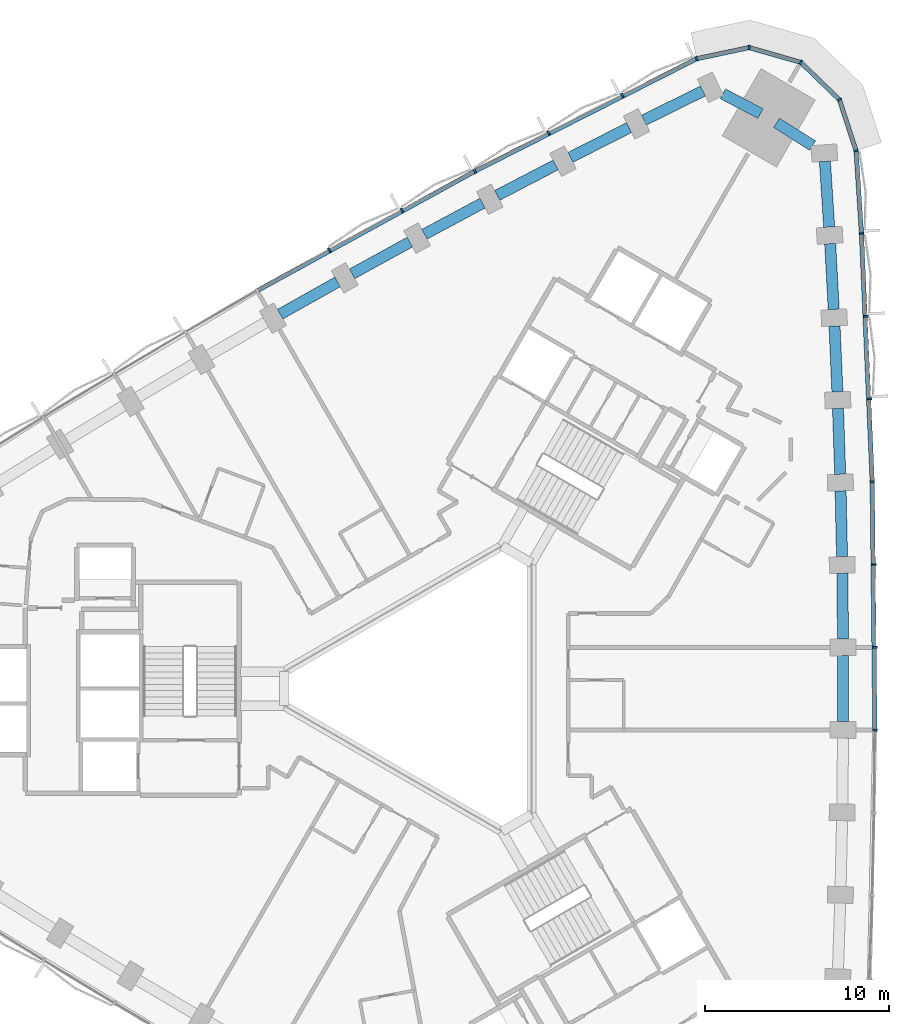
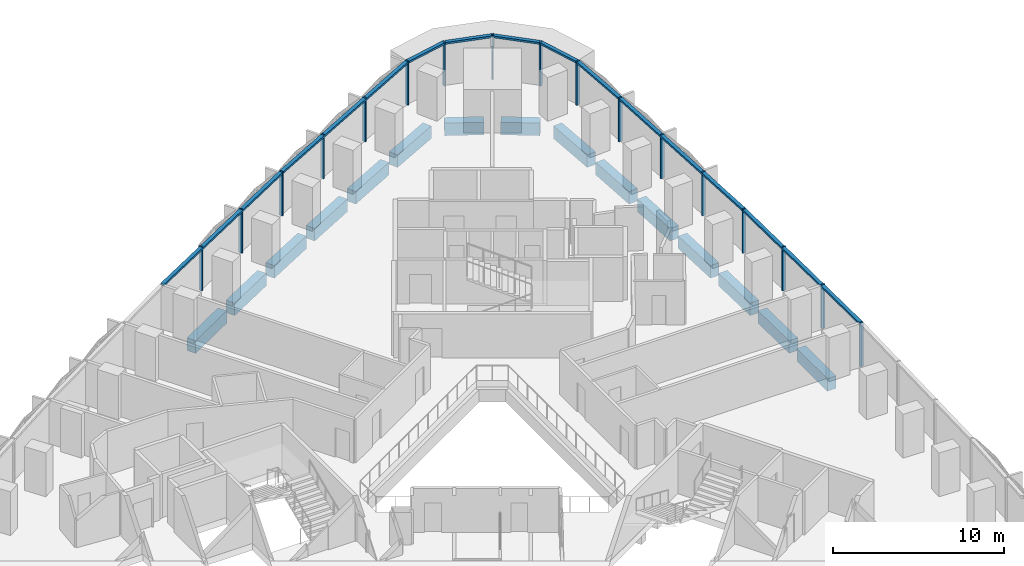
# One storey, part 5 of 15: 26 members, 15 beams, 2 elements without a shape of their own.
"""IFC4 building model written with IfcOpenShell, lengths in metres."""

from ifc_helpers import new_model, si_unit, direction, frame, origin, origin_2d, place, context, subcontext, project, spatial, rectangle, extrude, material, material_profile, profile_set, type_object, element, aggregate, save


model = new_model("IFC4")

# Units and contexts
model_context = context("Model", 3, precision=1e-05, world=origin(), true_north=direction((0.0, 1.0)))
body_context = subcontext(model_context, "Body", "Model", "MODEL_VIEW")
ifc_project = project(units=[si_unit("LENGTHUNIT", "METRE"), si_unit("AREAUNIT", "SQUARE_METRE"), si_unit("VOLUMEUNIT", "CUBIC_METRE"), si_unit("PLANEANGLEUNIT", "RADIAN"), si_unit("MASSUNIT", "GRAM", prefix="KILO")], contexts=[model_context])

# Site, building, storey
site_placement = place(None, origin())
site = spatial("IfcSite", under=ifc_project, at=site_placement, CompositionType="ELEMENT")
building_placement = place(site_placement, origin())
building = spatial("IfcBuilding", under=site, at=building_placement, Name="Tamra Quay Hotel Tower", CompositionType="ELEMENT")
storey_placement = place(building_placement, frame((0.0, 0.0, 42.199951171875)))
storey = spatial("IfcBuildingStorey", under=building, at=storey_placement, Name="L08", CompositionType="ELEMENT", Elevation=42.199951171875)

# Curtain wall, members
ifc_material_1 = material(Name="Aluminium 6063 anodised dark grey", Category="aluminium")
curtain_wall_type_1 = type_object("IfcCurtainWallType", Name="CW1 CURTAIN WALL", PredefinedType="NOTDEFINED", material=ifc_material_1)
curtain_wall_1_placement = place(storey_placement, origin())
curtain_wall_1 = element("IfcCurtainWall", 1, at=curtain_wall_1_placement, inside=storey, type_object=curtain_wall_type_1, Name="CW1 east face L08", PredefinedType="NOTDEFINED")
ifc_material_profile_1 = material_profile(ifc_material_1, rectangle(XDim=0.239990234375, YDim=0.10009765625, at=origin_2d()), Name="MULLION 100X240")
ifc_profile_set_1 = profile_set([ifc_material_profile_1], Name="Aluminium 6063 anodised dark grey")
member_type_1 = type_object("IfcMemberType", Name="MULLION CW1 Z1", PredefinedType="MULLION", material=ifc_profile_set_1)
member_1_placement = place(storey_placement, frame((23.618408203125, -2.244384765625, 0.0), z_axis=(0.0, 0.0, 1.0), x_axis=(0.99998532114, -0.005418256626, 0.0)))
member_1 = element("IfcMember", 2, at=member_1_placement, type_object=member_type_1, Name="CW1 mullion L08.E.7", PredefinedType="MULLION", context=body_context, shape_type="SweptSolid", body=[
    extrude(rectangle(XDim=0.239990234375, YDim=0.10009765625, at=origin_2d()), origin(), (0.0, 0.0, 1.0), 3.125),
])
member_2_placement = place(storey_placement, frame((23.618408203125, 2.244384765625, 0.0), z_axis=(0.0, 0.0, 1.0), x_axis=(0.99998532114, 0.005418256626, 0.0)))
member_2 = element("IfcMember", 3, at=member_2_placement, type_object=member_type_1, Name="CW1 mullion L08.E.8", PredefinedType="MULLION", context=body_context, shape_type="SweptSolid", body=[
    extrude(rectangle(XDim=0.239990234375, YDim=0.10009765625, at=origin_2d()), origin(), (0.0, 0.0, 1.0), 3.125),
])
member_3_placement = place(storey_placement, frame((23.569580078125, 6.73291015625, 0.0), z_axis=(0.0, 0.0, 1.0), x_axis=(0.999868004854, 0.016247241904, 0.0)))
member_3 = element("IfcMember", 4, at=member_3_placement, type_object=member_type_1, Name="CW1 mullion L08.E.9", PredefinedType="MULLION", context=body_context, shape_type="SweptSolid", body=[
    extrude(rectangle(XDim=0.239990234375, YDim=0.10009765625, at=origin_2d()), origin(), (0.0, 0.0, 1.0), 3.125),
])
member_4_placement = place(storey_placement, frame((23.472412109375, 11.221435546875, 0.0), z_axis=(0.0, 0.0, 1.0), x_axis=(0.999633633589, 0.027066558645, 0.0)))
member_4 = element("IfcMember", 5, at=member_4_placement, type_object=member_type_1, Name="CW1 mullion L08.E.10", PredefinedType="MULLION", context=body_context, shape_type="SweptSolid", body=[
    extrude(rectangle(XDim=0.239990234375, YDim=0.10009765625, at=origin_2d()), origin(), (0.0, 0.0, 1.0), 3.125),
])
member_5_placement = place(storey_placement, frame((23.32666015625, 15.707763671875, 0.0), z_axis=(0.0, 0.0, 1.0), x_axis=(0.999282264248, 0.037880817816, 0.0)))
member_5 = element("IfcMember", 6, at=member_5_placement, type_object=member_type_1, Name="CW1 mullion L08.E.11", PredefinedType="MULLION", context=body_context, shape_type="SweptSolid", body=[
    extrude(rectangle(XDim=0.239990234375, YDim=0.10009765625, at=origin_2d()), origin(), (0.0, 0.0, 1.0), 3.125),
])
member_6_placement = place(storey_placement, frame((23.13232421875, 20.1923828125, 0.0), z_axis=(0.0, 0.0, 1.0), x_axis=(0.998814683341, 0.048674719753, 0.0)))
member_6 = element("IfcMember", 7, at=member_6_placement, type_object=member_type_1, Name="CW1 mullion L08.E.12", PredefinedType="MULLION", context=body_context, shape_type="SweptSolid", body=[
    extrude(rectangle(XDim=0.239990234375, YDim=0.10009765625, at=origin_2d()), origin(), (0.0, 0.0, 1.0), 3.125),
])
member_7_placement = place(storey_placement, frame((22.8896484375, 24.67529296875, 0.0), z_axis=(0.0, 0.0, 1.0), x_axis=(0.998231966976, 0.05943854058, 0.0)))
member_7 = element("IfcMember", 8, at=member_7_placement, type_object=member_type_1, Name="CW1 mullion L08.E.13", PredefinedType="MULLION", context=body_context, shape_type="SweptSolid", body=[
    extrude(rectangle(XDim=0.239990234375, YDim=0.10009765625, at=origin_2d()), origin(), (0.0, 0.0, 1.0), 3.125),
])
member_8_placement = place(storey_placement, frame((22.5986328125, 29.154052734375, 0.0), z_axis=(0.0, 0.0, 1.0), x_axis=(0.982094520957, 0.188388831692, 0.0)))
member_8 = element("IfcMember", 9, at=member_8_placement, type_object=member_type_1, Name="CW1 mullion L08.E.14", PredefinedType="MULLION", context=body_context, shape_type="SweptSolid", body=[
    extrude(rectangle(XDim=0.239990234375, YDim=0.10009765625, at=origin_2d()), origin(), (0.0, 0.0, 1.0), 3.125),
])
member_9_placement = place(storey_placement, frame((21.697998046875, 31.926025390625, 0.0), z_axis=(0.0, 0.0, 1.0), x_axis=(0.848039345356, 0.529933268183, 0.0)))
member_9 = element("IfcMember", 10, at=member_9_placement, type_object=member_type_1, Name="CW1 mullion L08.E.15", PredefinedType="MULLION", context=body_context, shape_type="SweptSolid", body=[
    extrude(rectangle(XDim=0.239990234375, YDim=0.10009765625, at=origin_2d()), origin(), (0.0, 0.0, 1.0), 3.125),
])
member_10_placement = place(storey_placement, frame((19.6015625, 33.95068359375, 0.0), z_axis=(0.0, 0.0, 1.0), x_axis=(0.5, 0.866025403784, 0.0)))
member_10 = element("IfcMember", 11, at=member_10_placement, type_object=member_type_1, Name="CW1 mullion L08.E.16", PredefinedType="MULLION", context=body_context, shape_type="SweptSolid", body=[
    extrude(rectangle(XDim=0.239990234375, YDim=0.10009765625, at=origin_2d()), origin(), (0.0, 0.0, 1.0), 3.125),
])
member_11_placement = place(storey_placement, frame((16.7998046875, 34.754150390625, 0.0), z_axis=(0.0, 0.0, 1.0), x_axis=(0.034915999879, 0.999390250579, 0.0)))
member_11 = element("IfcMember", 12, at=member_11_placement, type_object=member_type_1, Name="CW1 mullion L08.E.17", PredefinedType="MULLION", context=body_context, shape_type="SweptSolid", body=[
    extrude(rectangle(XDim=0.239990234375, YDim=0.10009765625, at=origin_2d()), origin(), (0.0, 0.0, 1.0), 3.125),
])

curtain_wall_type_2 = type_object("IfcCurtainWallType", Name="CW2 CURTAIN WALL", PredefinedType="NOTDEFINED", material=ifc_material_1)
curtain_wall_2_placement = place(storey_placement, origin())
curtain_wall_2 = element("IfcCurtainWall", 13, at=curtain_wall_2_placement, inside=storey, type_object=curtain_wall_type_2, Name="CW2 north-west face L08", PredefinedType="NOTDEFINED")
ifc_material_profile_2 = material_profile(ifc_material_1, rectangle(XDim=0.239990234375, YDim=0.10009765625, at=origin_2d()), Name="MULLION 100X240")
ifc_profile_set_2 = profile_set([ifc_material_profile_2], Name="Aluminium 6063 anodised dark grey")
member_type_2 = type_object("IfcMemberType", Name="MULLION CW2 Z1", PredefinedType="MULLION", material=ifc_profile_set_2)
member_12_placement = place(storey_placement, frame((13.948974609375, 34.148193359375, 0.0), z_axis=(0.0, 0.0, 1.0), x_axis=(-0.327897746444, 0.944713219912, 0.0)))
member_12 = element("IfcMember", 14, at=member_12_placement, type_object=member_type_2, Name="CW2 mullion L08.NW.1", PredefinedType="MULLION", context=body_context, shape_type="SweptSolid", body=[
    extrude(rectangle(XDim=0.239990234375, YDim=0.10009765625, at=origin_2d()), origin(), (0.0, 0.0, 1.0), 3.125),
])
member_13_placement = place(storey_placement, frame((9.924560546875, 32.16064453125, 0.0), z_axis=(0.0, 0.0, 1.0), x_axis=(-0.447640697382, 0.894213512561, 0.0)))
member_13 = element("IfcMember", 15, at=member_13_placement, type_object=member_type_2, Name="CW2 mullion L08.NW.2", PredefinedType="MULLION", context=body_context, shape_type="SweptSolid", body=[
    extrude(rectangle(XDim=0.239990234375, YDim=0.10009765625, at=origin_2d()), origin(), (0.0, 0.0, 1.0), 3.125),
])
member_14_placement = place(storey_placement, frame((5.9208984375, 30.12939453125, 0.0), z_axis=(0.0, 0.0, 1.0), x_axis=(-0.457253797843, 0.889336249322, 0.0)))
member_14 = element("IfcMember", 16, at=member_14_placement, type_object=member_type_2, Name="CW2 mullion L08.NW.3", PredefinedType="MULLION", context=body_context, shape_type="SweptSolid", body=[
    extrude(rectangle(XDim=0.239990234375, YDim=0.10009765625, at=origin_2d()), origin(), (0.0, 0.0, 1.0), 3.125),
])
member_15_placement = place(storey_placement, frame((1.93994140625, 28.055419921875, 0.0), z_axis=(0.0, 0.0, 1.0), x_axis=(-0.46683538158, 0.884344235298, 0.0)))
member_15 = element("IfcMember", 17, at=member_15_placement, type_object=member_type_2, Name="CW2 mullion L08.NW.4", PredefinedType="MULLION", context=body_context, shape_type="SweptSolid", body=[
    extrude(rectangle(XDim=0.239990234375, YDim=0.10009765625, at=origin_2d()), origin(), (0.0, 0.0, 1.0), 3.125),
])
member_16_placement = place(storey_placement, frame((-2.01806640625, 25.9384765625, 0.0), z_axis=(0.0, 0.0, 1.0), x_axis=(-0.476376489415, 0.879241400488, 0.0)))
member_16 = element("IfcMember", 18, at=member_16_placement, type_object=member_type_2, Name="CW2 mullion L08.NW.5", PredefinedType="MULLION", context=body_context, shape_type="SweptSolid", body=[
    extrude(rectangle(XDim=0.239990234375, YDim=0.10009765625, at=origin_2d()), origin(), (0.0, 0.0, 1.0), 3.125),
])
member_17_placement = place(storey_placement, frame((-5.9541015625, 23.7783203125, 0.0), z_axis=(0.0, 0.0, 1.0), x_axis=(-0.485863478197, 0.874034713587, 0.0)))
member_17 = element("IfcMember", 19, at=member_17_placement, type_object=member_type_2, Name="CW2 mullion L08.NW.6", PredefinedType="MULLION", context=body_context, shape_type="SweptSolid", body=[
    extrude(rectangle(XDim=0.239990234375, YDim=0.10009765625, at=origin_2d()), origin(), (0.0, 0.0, 1.0), 3.125),
])

# Beams
ifc_material_2 = material(Name="Concrete M60", Category="concrete")
ifc_material_profile_3 = material_profile(ifc_material_2, rectangle(XDim=0.60009765625, YDim=0.89990234375, at=origin_2d()), Name="SPANDREL BEAM RC 600x900")
ifc_profile_set_3 = profile_set([ifc_material_profile_3], Name="Concrete M60")
beam_type = type_object("IfcBeamType", Name="SPANDREL BEAM RC 600x900", PredefinedType="SPANDREL", material=ifc_profile_set_3)
beam_1_placement = place(storey_placement, frame((21.894287109375, -1.785400390625, -0.925048828125), z_axis=(0.0, 1.0, 0.0), x_axis=(-1.0, 0.0, 0.0)))
element("IfcBeam", 20, at=beam_1_placement, inside=storey, type_object=beam_type, Name="BM-SP1-006-L08", PredefinedType="SPANDREL", context=body_context, shape_type="SweptSolid", body=[
    extrude(rectangle(XDim=0.60009765625, YDim=0.89990234375, at=origin_2d()), origin(), (0.0, 0.0, 1.0), 3.57080078125),
])
beam_2_placement = place(storey_placement, frame((21.889404296875, 2.685302734375, -0.925048828125), z_axis=(-0.010803527021, 0.999941640199, 0.0), x_axis=(-0.999941640199, -0.010803527021, 0.0)))
element("IfcBeam", 21, at=beam_2_placement, inside=storey, type_object=beam_type, Name="BM-SP1-007-L08", PredefinedType="SPANDREL", context=body_context, shape_type="SweptSolid", body=[
    extrude(rectangle(XDim=0.60009765625, YDim=0.89990234375, at=origin_2d()), origin(), (0.0, 0.0, 1.0), 3.570556640625),
])
beam_3_placement = place(storey_placement, frame((21.836181640625, 7.155517578125, -0.925048828125), z_axis=(-0.021679013576, 0.999764982569, 0.0), x_axis=(-0.999764982569, -0.021679013576, 0.0)))
element("IfcBeam", 22, at=beam_3_placement, inside=storey, type_object=beam_type, Name="BM-SP1-008-L08", PredefinedType="SPANDREL", context=body_context, shape_type="SweptSolid", body=[
    extrude(rectangle(XDim=0.60009765625, YDim=0.89990234375, at=origin_2d()), origin(), (0.0, 0.0, 1.0), 3.56982421875),
])
for number, where, z_axis, x_axis, name in (
    (23, (21.734619140625, 11.624267578125, -0.925048828125), (-0.032547568535, 0.999470187541, 0.0), (-0.999470187541, -0.032547568535, 0.0), "BM-SP1-009-L08"),
    (24, (21.58447265625, 16.09228515625, -0.925048828125), (-0.043282922957, 0.99906285517, 0.0), (-0.99906285517, -0.043282922957, 0.0), "BM-SP1-010-L08"),
):
    element("IfcBeam", number, at=place(storey_placement, frame(where, z_axis=z_axis, x_axis=x_axis)), inside=storey, type_object=beam_type, Name=name, PredefinedType="SPANDREL", context=body_context, shape_type="SweptSolid", body=[
        extrude(rectangle(XDim=0.60009765625, YDim=0.89990234375, at=origin_2d()), origin(), (0.0, 0.0, 1.0), 3.570556640625),
    ])
beam_4_placement = place(storey_placement, frame((21.385986328125, 20.558349609375, -0.925048828125), z_axis=(-0.054026860576, 0.998539482613, 0.0), x_axis=(-0.998539482613, -0.054026860576, 0.0)))
element("IfcBeam", 25, at=beam_4_placement, inside=storey, type_object=beam_type, Name="BM-SP1-011-L08", PredefinedType="SPANDREL", context=body_context, shape_type="SweptSolid", body=[
    extrude(rectangle(XDim=0.60009765625, YDim=0.89990234375, at=origin_2d()), origin(), (0.0, 0.0, 1.0), 3.56982421875),
])
beam_5_placement = place(storey_placement, frame((21.139404296875, 25.021484375, -0.925048828125), z_axis=(-0.064749077985, 0.99790157676, 0.0), x_axis=(-0.99790157676, -0.064749077985, 0.0)))
element("IfcBeam", 26, at=beam_5_placement, inside=storey, type_object=beam_type, Name="BM-SP1-012-L08", PredefinedType="SPANDREL", context=body_context, shape_type="SweptSolid", body=[
    extrude(rectangle(XDim=0.60009765625, YDim=0.89990234375, at=origin_2d()), origin(), (0.0, 0.0, 1.0), 3.57080078125),
])
beam_6_placement = place(storey_placement, frame((20.2373046875, 29.440185546875, -0.925048828125), z_axis=(-0.844978382684, 0.53480046073, 0.0), x_axis=(-0.53480046073, -0.844978382684, 0.0)))
element("IfcBeam", 27, at=beam_6_placement, inside=storey, type_object=beam_type, Name="BM-SP1-013-L08", PredefinedType="SPANDREL", context=body_context, shape_type="SweptSolid", body=[
    extrude(rectangle(XDim=0.60009765625, YDim=0.89990234375, at=origin_2d()), origin(), (0.0, 0.0, 1.0), 2.30859375),
])
beam_7_placement = place(storey_placement, frame((17.421630859375, 31.17431640625, -0.925048828125), z_axis=(-0.885674154565, 0.464307324879, 0.0), x_axis=(-0.464307324879, -0.885674154565, 0.0)))
element("IfcBeam", 28, at=beam_7_placement, inside=storey, type_object=beam_type, Name="BM-SP1-014-L08", PredefinedType="SPANDREL", context=body_context, shape_type="SweptSolid", body=[
    extrude(rectangle(XDim=0.60009765625, YDim=0.89990234375, at=origin_2d()), origin(), (0.0, 0.0, 1.0), 2.308349609375),
])
beam_8_placement = place(storey_placement, frame((14.301025390625, 32.3994140625, -0.925048828125), z_axis=(-0.896604328032, -0.442832563113, 0.0), x_axis=(0.442832563113, -0.896604328032, 0.0)))
element("IfcBeam", 29, at=beam_8_placement, inside=storey, type_object=beam_type, Name="BM-SP1-015-L08", PredefinedType="SPANDREL", context=body_context, shape_type="SweptSolid", body=[
    extrude(rectangle(XDim=0.60009765625, YDim=0.89990234375, at=origin_2d()), origin(), (0.0, 0.0, 1.0), 3.57080078125),
])
beam_9_placement = place(storey_placement, frame((10.294677734375, 30.415283203125, -0.925048828125), z_axis=(-0.891785652583, -0.452458119439, 0.0), x_axis=(0.452458119439, -0.891785652583, 0.0)))
element("IfcBeam", 30, at=beam_9_placement, inside=storey, type_object=beam_type, Name="BM-SP1-016-L08", PredefinedType="SPANDREL", context=body_context, shape_type="SweptSolid", body=[
    extrude(rectangle(XDim=0.60009765625, YDim=0.89990234375, at=origin_2d()), origin(), (0.0, 0.0, 1.0), 3.56982421875),
])
beam_10_placement = place(storey_placement, frame((6.310546875, 28.388427734375, -0.925048828125), z_axis=(-0.886863886749, -0.462030785101, 0.0), x_axis=(0.462030785101, -0.886863886749, 0.0)))
element("IfcBeam", 31, at=beam_10_placement, inside=storey, type_object=beam_type, Name="BM-SP1-017-L08", PredefinedType="SPANDREL", context=body_context, shape_type="SweptSolid", body=[
    extrude(rectangle(XDim=0.60009765625, YDim=0.89990234375, at=origin_2d()), origin(), (0.0, 0.0, 1.0), 3.570556640625),
])
beam_11_placement = place(storey_placement, frame((2.34814453125, 26.318603515625, -0.925048828125), z_axis=(-0.881809110934, -0.471606501094, 0.0), x_axis=(0.471606501094, -0.881809110934, 0.0)))
element("IfcBeam", 32, at=beam_11_placement, inside=storey, type_object=beam_type, Name="BM-SP1-018-L08", PredefinedType="SPANDREL", context=body_context, shape_type="SweptSolid", body=[
    extrude(rectangle(XDim=0.60009765625, YDim=0.89990234375, at=origin_2d()), origin(), (0.0, 0.0, 1.0), 3.5703125),
])
beam_12_placement = place(storey_placement, frame((-1.591796875, 24.2060546875, -0.925048828125), z_axis=(-0.876617015828, -0.481188744216, 0.0), x_axis=(0.481188744216, -0.876617015828, 0.0)))
element("IfcBeam", 33, at=beam_12_placement, inside=storey, type_object=beam_type, Name="BM-SP1-019-L08", PredefinedType="SPANDREL", context=body_context, shape_type="SweptSolid", body=[
    extrude(rectangle(XDim=0.60009765625, YDim=0.89990234375, at=origin_2d()), origin(), (0.0, 0.0, 1.0), 3.56982421875),
])
beam_13_placement = place(storey_placement, frame((-5.5078125, 22.051025390625, -0.925048828125), z_axis=(-0.871431243693, -0.49051767299, 0.0), x_axis=(0.49051767299, -0.871431243693, 0.0)))
element("IfcBeam", 34, at=beam_13_placement, inside=storey, type_object=beam_type, Name="BM-SP1-020-L08", PredefinedType="SPANDREL", context=body_context, shape_type="SweptSolid", body=[
    extrude(rectangle(XDim=0.60009765625, YDim=0.89990234375, at=origin_2d()), origin(), (0.0, 0.0, 1.0), 3.570556640625),
])

# Member
ifc_material_profile_4 = material_profile(ifc_material_1, rectangle(XDim=0.239990234375, YDim=0.139892578125, at=origin_2d()), Name="TRANSOM 240X140")
ifc_profile_set_4 = profile_set([ifc_material_profile_4], Name="Aluminium 6063 anodised dark grey")
member_type_3 = type_object("IfcMemberType", Name="TRANSOM CW1 Z1", PredefinedType="USERDEFINED", material=ifc_profile_set_4)
member_18_placement = place(storey_placement, frame((23.618408203125, -2.1943359375, 3.054931640625), z_axis=(-0.010831206208, 0.999941340766, 0.0), x_axis=(-0.999941340766, -0.010831206208, 0.0)))
member_18 = element("IfcMember", 35, at=member_18_placement, type_object=member_type_3, Name="CW1 transom L08.E.7", ObjectType="TRANSOM", PredefinedType="USERDEFINED", context=body_context, shape_type="SweptSolid", body=[
    extrude(rectangle(XDim=0.239990234375, YDim=0.139892578125, at=origin_2d()), origin(), (0.0, 0.0, 1.0), 13.366455078125),
])

member_19_placement = place(storey_placement, frame((23.470703125, 11.271484375, 3.054931640625), z_axis=(-0.043269977555, 0.999063415926, 0.0), x_axis=(-0.999063415926, -0.043269977555, 0.0)))
member_19 = element("IfcMember", 36, at=member_19_placement, type_object=member_type_3, Name="CW1 transom L08.E.10", ObjectType="TRANSOM", PredefinedType="USERDEFINED", context=body_context, shape_type="SweptSolid", body=[
    extrude(rectangle(XDim=0.239990234375, YDim=0.139892578125, at=origin_2d()), origin(), (0.0, 0.0, 1.0), 13.366455078125),
])

member_20_placement = place(storey_placement, frame((22.886474609375, 24.725341796875, 3.054931640625), z_axis=(-0.064816582932, 0.997897194393, 0.0), x_axis=(-0.997897194393, -0.064816582932, 0.0)))
member_20 = element("IfcMember", 37, at=member_20_placement, type_object=member_type_3, Name="CW1 transom L08.E.13", ObjectType="TRANSOM", PredefinedType="USERDEFINED", context=body_context, shape_type="SweptSolid", body=[
    extrude(rectangle(XDim=0.239990234375, YDim=0.139892578125, at=origin_2d()), origin(), (0.0, 0.0, 1.0), 4.38818359375),
])

member_21_placement = place(storey_placement, frame((22.583251953125, 29.20166015625, 3.054931640625), z_axis=(-0.309062535631, 0.951041717839, 0.0), x_axis=(-0.951041717839, -0.309062535631, 0.0)))
member_21 = element("IfcMember", 38, at=member_21_placement, type_object=member_type_3, Name="CW1 transom L08.E.14", ObjectType="TRANSOM", PredefinedType="USERDEFINED", context=body_context, shape_type="SweptSolid", body=[
    extrude(rectangle(XDim=0.239990234375, YDim=0.139892578125, at=origin_2d()), origin(), (0.0, 0.0, 1.0), 2.814453125),
])

member_22_placement = place(storey_placement, frame((21.662109375, 31.960693359375, 3.054931640625), z_axis=(-0.71931626538, 0.694682740796, 0.0), x_axis=(-0.694682740796, -0.71931626538, 0.0)))
member_22 = element("IfcMember", 39, at=member_22_placement, type_object=member_type_3, Name="CW1 transom L08.E.15", ObjectType="TRANSOM", PredefinedType="USERDEFINED", context=body_context, shape_type="SweptSolid", body=[
    extrude(rectangle(XDim=0.239990234375, YDim=0.139892578125, at=origin_2d()), origin(), (0.0, 0.0, 1.0), 2.814697265625),
])

member_23_placement = place(storey_placement, frame((19.553466796875, 33.96435546875, 3.054931640625), z_axis=(-0.961255085045, 0.275660409698, 0.0), x_axis=(-0.275660409698, -0.961255085045, 0.0)))
member_23 = element("IfcMember", 40, at=member_23_placement, type_object=member_type_3, Name="CW1 transom L08.E.16", ObjectType="TRANSOM", PredefinedType="USERDEFINED", context=body_context, shape_type="SweptSolid", body=[
    extrude(rectangle(XDim=0.239990234375, YDim=0.139892578125, at=origin_2d()), origin(), (0.0, 0.0, 1.0), 2.814697265625),
])

member_24_placement = place(storey_placement, frame((16.7509765625, 34.74365234375, 3.054931640625), z_axis=(-0.97816524345, -0.207828671039, 0.0), x_axis=(0.207828671039, -0.97816524345, 0.0)))
member_24 = element("IfcMember", 41, at=member_24_placement, type_object=member_type_3, Name="CW1 transom L08.E.17", ObjectType="TRANSOM", PredefinedType="USERDEFINED", context=body_context, shape_type="SweptSolid", body=[
    extrude(rectangle(XDim=0.239990234375, YDim=0.139892578125, at=origin_2d()), origin(), (0.0, 0.0, 1.0), 2.814697265625),
])

aggregate(curtain_wall_1, [member_1, member_18, member_2, member_3, member_4, member_19, member_5, member_6, member_7, member_20, member_8, member_21, member_9, member_22, member_10, member_23, member_11, member_24])

ifc_material_profile_5 = material_profile(ifc_material_1, rectangle(XDim=0.239990234375, YDim=0.139892578125, at=origin_2d()), Name="TRANSOM 240X140")
ifc_profile_set_5 = profile_set([ifc_material_profile_5], Name="Aluminium 6063 anodised dark grey")
member_type_4 = type_object("IfcMemberType", Name="TRANSOM CW2 Z1", PredefinedType="USERDEFINED", material=ifc_profile_set_5)
member_25_placement = place(storey_placement, frame((13.904052734375, 34.1259765625, 3.054931640625), z_axis=(-0.891785159734, -0.452459090834, 0.0), x_axis=(0.452459090834, -0.891785159734, 0.0)))
member_25 = element("IfcMember", 42, at=member_25_placement, type_object=member_type_4, Name="CW2 transom L08.NW.1", ObjectType="TRANSOM", PredefinedType="USERDEFINED", context=body_context, shape_type="SweptSolid", body=[
    extrude(rectangle(XDim=0.239990234375, YDim=0.139892578125, at=origin_2d()), origin(), (0.0, 0.0, 1.0), 13.365966796875),
])

member_26_placement = place(storey_placement, frame((1.89599609375, 28.03173828125, 3.054931640625), z_axis=(-0.876657857412, -0.481114332606, 0.0), x_axis=(0.481114332606, -0.876657857412, 0.0)))
member_26 = element("IfcMember", 43, at=member_26_placement, type_object=member_type_4, Name="CW2 transom L08.NW.4", ObjectType="TRANSOM", PredefinedType="USERDEFINED", context=body_context, shape_type="SweptSolid", body=[
    extrude(rectangle(XDim=0.239990234375, YDim=0.139892578125, at=origin_2d()), origin(), (0.0, 0.0, 1.0), 13.36669921875),
])

aggregate(curtain_wall_2, [member_12, member_25, member_13, member_14, member_15, member_26, member_16, member_17])

save(model, "model.ifc")
